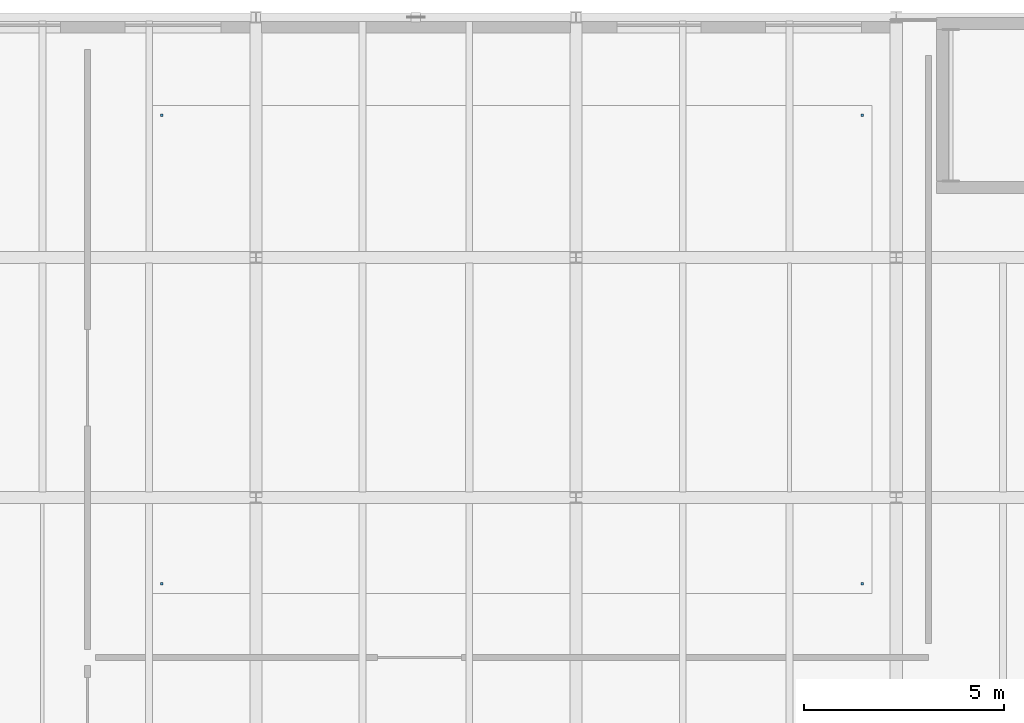
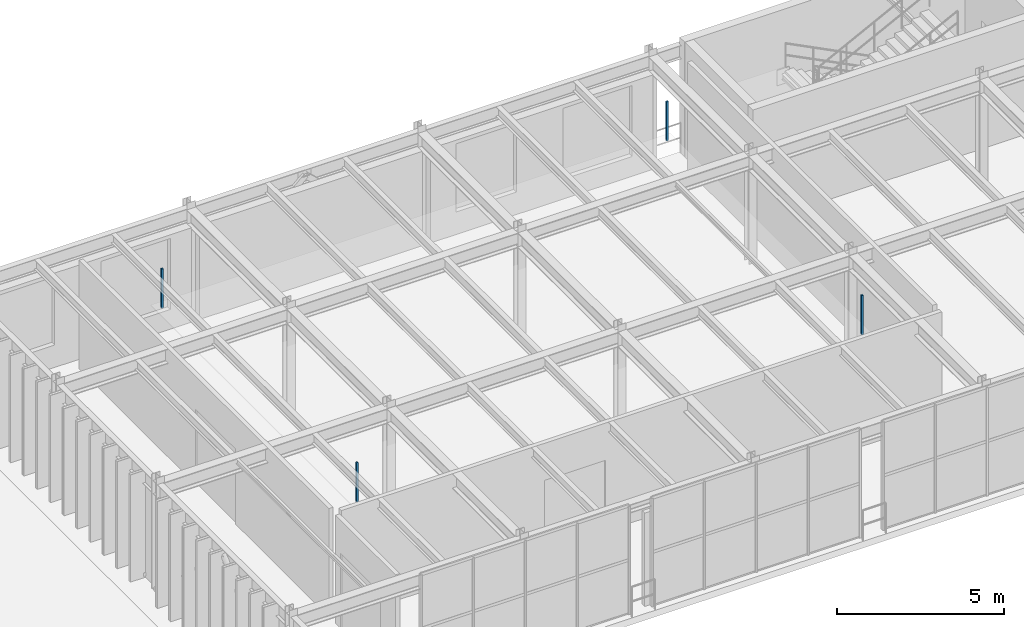
# One storey, part 96 of 122: 4 discrete accessories.
"""IFC4 building model written with IfcOpenShell, lengths in metres."""

import ifcopenshell
import ifcopenshell.guid

model = None  # the IFC model being written
_history = None  # IfcOwnerHistory: only IFC2X3 demands one
_inside = {}  # id of a spatial element -> (the spatial element, [elements in it])
_under = {}  # id of a project, library or spatial element -> (it, [spatial elements below it])
_declared = {}  # id of a project -> (the project, [libraries it declares])
_typed = {}  # id of a type object -> (the type object, [elements of that type])
_made_of = {}  # id of a material, layer set ... -> (it, [elements and type objects made of it])


def new_model(schema):
    """Start an empty IFC model of exactly this schema.

    Asked for "IFC4X3", IfcOpenShell would pick the latest addendum, in which some entities
    have other attributes; the version numbers below select the first issue.
    IFC2X3 requires an IfcOwnerHistory on every rooted entity: one is made here for all.
    """
    global model, _history
    if schema == "IFC4X3":
        model = ifcopenshell.file(schema_version=(4, 3, 0, 0))
    else:
        model = ifcopenshell.file(schema=schema)
    _inside.clear()
    _under.clear()
    _declared.clear()
    _typed.clear()
    _made_of.clear()
    _history = None
    if model.schema == "IFC2X3":
        org = make("IfcOrganization", Name="unknown")
        user = make(
            "IfcPersonAndOrganization",
            ThePerson=make("IfcPerson", FamilyName="unknown"),
            TheOrganization=org,
        )
        app = make(
            "IfcApplication",
            ApplicationDeveloper=org,
            Version="unknown",
            ApplicationFullName="unknown",
            ApplicationIdentifier="unknown",
        )
        _history = make(
            "IfcOwnerHistory",
            OwningUser=user,
            OwningApplication=app,
            ChangeAction="ADDED",
            CreationDate=0,
        )
    return model


def make(cls, **values):
    """One entity of the class cls with the attributes given. An attribute that is None is left unset."""
    return model.create_entity(
        cls, **{name: value for name, value in values.items() if value is not None}
    )


def rooted(cls, **values):
    """An entity with a GlobalId (a new one), such as an element, a storey or a relation."""
    return make(cls, GlobalId=ifcopenshell.guid.new(), OwnerHistory=_history, **values)


def si_unit(unit_type, name, prefix=None):
    """IfcSIUnit, for example si_unit("LENGTHUNIT", "METRE", prefix="MILLI")."""
    return make("IfcSIUnit", UnitType=unit_type, Prefix=prefix, Name=name)


def assignment(units):
    """IfcUnitAssignment: the units of a project."""
    return None if units is None else make("IfcUnitAssignment", Units=units)


def point(xyz):
    """IfcCartesianPoint."""
    return None if xyz is None else make("IfcCartesianPoint", Coordinates=xyz)


def direction(xyz):
    """IfcDirection."""
    return None if xyz is None else make("IfcDirection", DirectionRatios=xyz)


def frame(location, z_axis=None, x_axis=None):
    """IfcAxis2Placement3D, a coordinate frame: its origin and axes. An axis left out is left unset."""
    return make(
        "IfcAxis2Placement3D",
        Location=point(location),
        Axis=direction(z_axis),
        RefDirection=direction(x_axis),
    )


def frame_2d(location, x_axis=None):
    """IfcAxis2Placement2D, a coordinate frame in the plane: its origin and x axis."""
    return make(
        "IfcAxis2Placement2D", Location=point(location), RefDirection=direction(x_axis)
    )


def origin():
    """The frame at (0, 0, 0) with its axes left unset."""
    return frame((0.0, 0.0, 0.0))


def origin_2d():
    """The frame at (0, 0) in the plane with its x axis left unset."""
    return frame_2d((0.0, 0.0))


def place(relative_to, where):
    """IfcLocalPlacement: puts the frame where relative to a parent placement (None: the world)."""
    return make(
        "IfcLocalPlacement", PlacementRelTo=relative_to, RelativePlacement=where
    )


def context(
    kind, dimensions, precision=None, world=None, true_north=None, identifier=None
):
    """IfcGeometricRepresentationContext, for example the 3D "Model" context."""
    return make(
        "IfcGeometricRepresentationContext",
        ContextIdentifier=identifier,
        ContextType=kind,
        CoordinateSpaceDimension=dimensions,
        Precision=precision,
        WorldCoordinateSystem=world,
        TrueNorth=true_north,
    )


def subcontext(parent, identifier, kind, view, scale=None):
    """IfcGeometricRepresentationSubContext, for example "Body" below "Model"."""
    return make(
        "IfcGeometricRepresentationSubContext",
        ContextIdentifier=identifier,
        ContextType=kind,
        ParentContext=parent,
        TargetScale=scale,
        TargetView=view,
    )


def project(units=None, contexts=None):
    """IfcProject with its units and contexts."""
    return rooted(
        "IfcProject",
        Name="project",
        RepresentationContexts=contexts,
        UnitsInContext=assignment(units),
    )


def spatial(cls, under=None, at=None, **own):
    """A site, building, storey or space (cls), placed at a placement, below another one or the project."""
    s = rooted(cls, ObjectPlacement=at, **own)
    if under is not None:
        _under.setdefault(under.id(), (under, []))[1].append(s)
    return s


def profile(cls, at=None, kind="AREA", **sizes):
    """A parametric profile (cls). Its sizes go by their IFC names, for example OverallWidth=200.0."""
    return make(cls, ProfileType=kind, Position=at, **sizes)


def rectangle(**sizes):
    """IfcRectangleProfileDef."""
    return profile("IfcRectangleProfileDef", **sizes)


def extrude(swept, where, along, depth):
    """IfcExtrudedAreaSolid: the profile swept, set in the frame where, extruded along a direction by depth."""
    return make(
        "IfcExtrudedAreaSolid",
        SweptArea=swept,
        Position=where,
        ExtrudedDirection=direction(along),
        Depth=depth,
    )


def shape(context_of_items, identifier, shape_type, items):
    """IfcShapeRepresentation: the items that make up one representation, for example the "Body"."""
    return make(
        "IfcShapeRepresentation",
        ContextOfItems=context_of_items,
        RepresentationIdentifier=identifier,
        RepresentationType=shape_type,
        Items=items,
    )


def material(Name=None, Category=None):
    """IfcMaterial."""
    return make("IfcMaterial", Name=Name, Category=Category)


def made_of(thing, what):
    """Note that an element or type object is made of a material, layer set ...; save() writes the relation."""
    if what is not None:
        _made_of.setdefault(what.id(), (what, []))[1].append(thing)
    return thing


def type_object(cls, material=None, **own):
    """A type object (cls), such as IfcWallType, which elements share."""
    return made_of(rooted(cls, **own), material)


def element(
    cls,
    number,
    at=None,
    inside=None,
    cuts=None,
    type_object=None,
    material=None,
    context=None,
    identifier="Body",
    shape_type=None,
    held_by="IfcProductDefinitionShape",
    body=None,
    shapes=None,
    **own,
):
    """One element of the class cls, such as IfcWall. Its Tag is "e" and its number.

    at: its placement. inside: the storey or other place that contains it. cuts: it is an
    opening in that element (IfcRelVoidsElement). A single representation is given by context,
    identifier, shape_type and body (its items); several are given by shapes. held_by: the class
    of the entity that holds the representations. save() writes the other relations.
    """
    e = rooted(cls, Tag="e%d" % number, ObjectPlacement=at, **own)
    if body is not None:
        shapes = [shape(context, identifier, shape_type, body)]
    if shapes is not None:
        e.Representation = make(held_by, Representations=shapes)
    if inside is not None:
        _inside.setdefault(inside.id(), (inside, []))[1].append(e)
    if cuts is not None:
        rooted(
            "IfcRelVoidsElement", RelatingBuildingElement=cuts, RelatedOpeningElement=e
        )
    if type_object is not None:
        _typed.setdefault(type_object.id(), (type_object, []))[1].append(e)
    return made_of(e, material)


def aggregate(whole, parts):
    """IfcRelAggregates: a whole, such as a stair, and the parts it consists of."""
    return rooted("IfcRelAggregates", RelatingObject=whole, RelatedObjects=parts)


def save(model, path):
    """Write the relations noted so far, then the file.

    IfcRelAggregates (storeys below a building ...), IfcRelContainedInSpatialStructure (elements
    in a storey), IfcRelDefinesByType, IfcRelAssociatesMaterial and IfcRelDeclares: one each for
    every whole, place, type object, material and project.
    """
    for whole, parts in _under.values():
        aggregate(whole, parts)
    for where, things in _inside.values():
        rooted(
            "IfcRelContainedInSpatialStructure",
            RelatedElements=things,
            RelatingStructure=where,
        )
    for kind, things in _typed.values():
        rooted("IfcRelDefinesByType", RelatedObjects=things, RelatingType=kind)
    for what, things in _made_of.values():
        rooted("IfcRelAssociatesMaterial", RelatedObjects=things, RelatingMaterial=what)
    for by, libraries in _declared.values():
        rooted("IfcRelDeclares", RelatingContext=by, RelatedDefinitions=libraries)
    model.write(path)


model = new_model("IFC4")

# Units and contexts
model_context = context("Model", 3, precision=1e-05, world=origin(), true_north=direction((0.0, 1.0)))
body_context = subcontext(model_context, "Body", "Model", "MODEL_VIEW")
ifc_project = project(units=[si_unit("LENGTHUNIT", "METRE"), si_unit("AREAUNIT", "SQUARE_METRE"), si_unit("VOLUMEUNIT", "CUBIC_METRE"), si_unit("PLANEANGLEUNIT", "RADIAN"), si_unit("MASSUNIT", "GRAM", prefix="KILO")], contexts=[model_context])

# Site, building, storey
site_placement = place(None, origin())
site = spatial("IfcSite", under=ifc_project, at=site_placement, CompositionType="ELEMENT")
building_placement = place(site_placement, origin())
building = spatial("IfcBuilding", under=site, at=building_placement, Name="Sundkrona Museum", CompositionType="ELEMENT")
storey_placement = place(building_placement, frame((0.0, 0.0, 5.39990234375)))
storey = spatial("IfcBuildingStorey", under=building, at=storey_placement, Name="L01", CompositionType="ELEMENT", Elevation=5.39990234375)

# Discrete accessories
ifc_material = material(Name="Stainless Steel EN 1.4404 Cleat", Category="steel")
discrete_accessory_type = type_object("IfcDiscreteAccessoryType", Name="BRK-FIN-01", PredefinedType="BRACKET", material=ifc_material)
for number, where, z_axis, x_axis, name in (
    (1, (21.64990234375, 99.85009765625, 2.550048828125), (0.0, 0.0, 1.0), (1.0, 0.0, 0.0), "L01 Scandinavian Tapestry Cabinet Ceiling Hanger 1"),
    (2, (39.14990234375, 99.85009765625, 2.550048828125), (0.0, 0.0, 1.0), (1.0, 0.0, 0.0), "L01 Scandinavian Tapestry Cabinet Ceiling Hanger 2"),
    (3, (39.14990234375, 111.550048828125, 2.550048828125), (0.0, 0.0, 1.0), (1.0, 0.0, 0.0), "L01 Scandinavian Tapestry Cabinet Ceiling Hanger 3"),
    (4, (21.64990234375, 111.550048828125, 2.550048828125), (0.0, 0.0, 1.0), (1.0, 0.0, 0.0), "L01 Scandinavian Tapestry Cabinet Ceiling Hanger 4"),
):
    element("IfcDiscreteAccessory", number, at=place(storey_placement, frame(where, z_axis=z_axis, x_axis=x_axis)), inside=storey, type_object=discrete_accessory_type, Name=name, PredefinedType="BRACKET", context=body_context, shape_type="SweptSolid", body=[
        extrude(rectangle(XDim=0.06005859375, YDim=0.06005859375, at=origin_2d()), origin(), (0.0, 0.0, 1.0), 1.43994140625),
    ])

save(model, "model.ifc")
